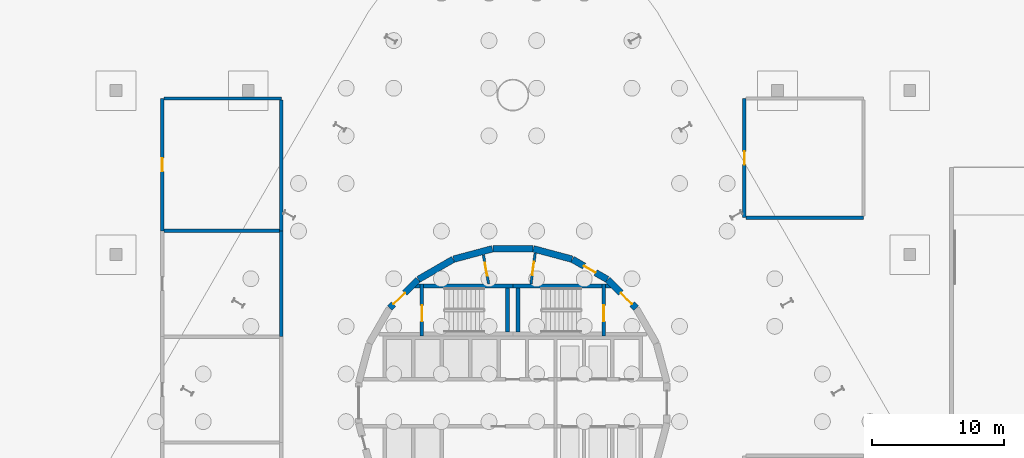
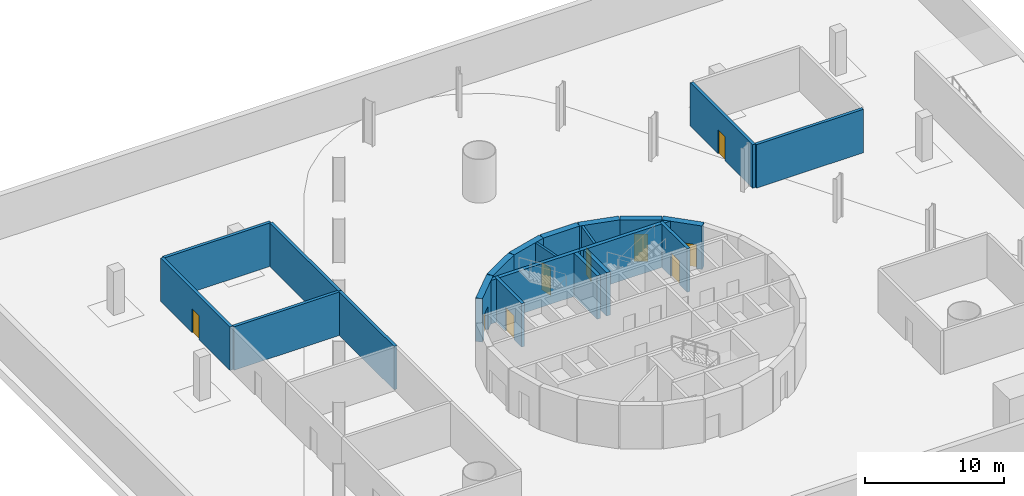
# One storey, part 8 of 11: 24 walls, 9 doors, 9 openings.
"""IFC4 building model written with IfcOpenShell, lengths in metres."""

from ifc_helpers import new_model, si_unit, direction, frame, frame_2d, origin, place, context, subcontext, project, spatial, polyline, rectangle, outline, extrude, material, layer, layer_set, type_object, element, fill, save


model = new_model("IFC4")

# Units and contexts
model_context = context("Model", 3, precision=1e-05, world=origin(), true_north=direction((0.0, 1.0)))
body_context = subcontext(model_context, "Body", "Model", "MODEL_VIEW")
ifc_project = project(units=[si_unit("LENGTHUNIT", "METRE"), si_unit("AREAUNIT", "SQUARE_METRE"), si_unit("VOLUMEUNIT", "CUBIC_METRE"), si_unit("PLANEANGLEUNIT", "RADIAN"), si_unit("MASSUNIT", "GRAM", prefix="KILO")], contexts=[model_context])

# Site, building, storey
site_placement = place(None, origin())
site = spatial("IfcSite", under=ifc_project, at=site_placement, CompositionType="ELEMENT")
building_placement = place(site_placement, origin())
building = spatial("IfcBuilding", under=site, at=building_placement, Name="Spindle Arch Residences", CompositionType="ELEMENT")
storey_placement = place(building_placement, frame((0.0, 0.0, -8.39990234375)))
storey = spatial("IfcBuildingStorey", under=building, at=storey_placement, Name="B2", CompositionType="ELEMENT", Elevation=-8.39990234375)

# Wall, opening, door
ifc_material_1 = material(Name="Concrete C50/60", Category="concrete")
ifc_layer_1 = layer(ifc_material_1, 0.5)
ifc_layer_set_1 = layer_set([ifc_layer_1], Name="Core outline wall 500")
wall_type_1 = type_object("IfcWallType", Name="Core outline wall 500", PredefinedType="SHEAR", material=ifc_layer_set_1)
wall_1_placement = place(storey_placement, frame((9.30810546875, 7.163818359375, 0.0), z_axis=(0.0, 0.0, 1.0), x_axis=(-0.707106781187, 0.707106781187, 0.0)))
wall_1 = element("IfcWall", 1, at=wall_1_placement, inside=storey, type_object=wall_type_1, Name="Core outline wall 9", PredefinedType="SHEAR", context=body_context, shape_type="SweptSolid", body=[
    extrude(rectangle(XDim=3.032470703125, YDim=0.5, at=frame_2d((1.51611328125, 0.0))), origin(), (0.0, 0.0, 1.0), 3.81982421875),
])
opening_1_placement = place(wall_1_placement, frame((0.416259765625, 0.0, 0.0)))
opening_1 = element("IfcOpeningElement", 2, at=opening_1_placement, cuts=wall_1, Name="Opening B2-AD01", PredefinedType="OPENING", context=body_context, shape_type="SweptSolid", body=[
    extrude(rectangle(XDim=1.199951171875, YDim=2.10009765625, at=frame_2d((0.60009765625, 1.050048828125))), frame((0.0, 0.260009765625, 0.0), z_axis=(0.0, -1.0, 0.0), x_axis=(1.0, 0.0, 0.0)), (0.0, 0.0, 1.0), 0.52001953125),
])
ifc_material_2 = material(Name="Steel, fire-resisting door", Category="steel")
door_type_1 = type_object("IfcDoorType", Name="Stair airlock door 1200x2100", OperationType="SINGLE_SWING_LEFT", PredefinedType="DOOR", material=ifc_material_2)
door_1_placement = place(opening_1_placement, origin())
door_1 = element("IfcDoor", 3, at=door_1_placement, inside=storey, type_object=door_type_1, Name="Stair airlock door B2-AD01", OperationType="SINGLE_SWING_RIGHT", OverallHeight=2.10009765625, OverallWidth=1.199951171875, PredefinedType="DOOR", context=body_context, shape_type="SweptSolid", body=[
    extrude(rectangle(XDim=1.199951171875, YDim=2.10009765625, at=frame_2d((0.60009765625, 1.050048828125))), frame((0.0, 0.02490234375, 0.0), z_axis=(0.0, -1.0, 0.0), x_axis=(1.0, 0.0, 0.0)), (0.0, 0.0, 1.0), 0.050048828125),
])
fill(opening_1, door_1)

wall_2_placement = place(storey_placement, frame((7.13671875, 9.32861328125, 0.0), z_axis=(0.0, 0.0, 1.0), x_axis=(-0.865975092491, 0.500087131594, 0.0)))
wall_2 = element("IfcWall", 4, at=wall_2_placement, inside=storey, type_object=wall_type_1, Name="Core outline wall 10", PredefinedType="SHEAR", context=body_context, shape_type="SweptSolid", body=[
    extrude(rectangle(XDim=3.03271484375, YDim=0.5, at=frame_2d((1.516357421875, 0.0))), origin(), (0.0, 0.0, 1.0), 3.81982421875),
])
opening_2_placement = place(wall_2_placement, frame((1.016357421875, 0.0, 0.0)))
opening_2 = element("IfcOpeningElement", 5, at=opening_2_placement, cuts=wall_2, Name="Opening B2-PD10", PredefinedType="OPENING", context=body_context, shape_type="SweptSolid", body=[
    extrude(rectangle(XDim=1.0, YDim=2.39990234375, at=frame_2d((0.5, 1.199951171875))), frame((0.0, 0.260009765625, 0.0), z_axis=(0.0, -1.0, 0.0), x_axis=(1.0, 0.0, 0.0)), (0.0, 0.0, 1.0), 0.52001953125),
])
ifc_material_3 = material(Name="Steel, fire-resisting door", Category="steel")
door_type_2 = type_object("IfcDoorType", Name="Plant room door 1000x2400", OperationType="SINGLE_SWING_LEFT", PredefinedType="DOOR", material=ifc_material_3)
door_2_placement = place(opening_2_placement, origin())
door_2 = element("IfcDoor", 6, at=door_2_placement, inside=storey, type_object=door_type_2, Name="Plant room door B2-PD10", OperationType="SINGLE_SWING_LEFT", OverallHeight=2.39990234375, OverallWidth=1.0, PredefinedType="DOOR", context=body_context, shape_type="SweptSolid", body=[
    extrude(rectangle(XDim=1.0, YDim=2.39990234375, at=frame_2d((0.5, 1.199951171875))), frame((0.0, 0.02490234375, 0.0), z_axis=(0.0, -1.0, 0.0), x_axis=(1.0, 0.0, 0.0)), (0.0, 0.0, 1.0), 0.050048828125),
])
fill(opening_2, door_2)

# Walls
for number, where, z_axis, x_axis, name in (
    (7, (4.479248046875, 10.858154296875, 0.0), (0.0, 0.0, 1.0), (-0.965948410781, 0.258734743916, 0.0), "Core outline wall 11"),
    (8, (1.516357421875, 11.647216796875, 0.0), (0.0, 0.0, 1.0), (-1.0, 0.0, 0.0), "Core outline wall 12"),
    (9, (-1.5498046875, 11.642822265625, 0.0), (0.0, 0.0, 1.0), (-0.965948410781, -0.258734743916, 0.0), "Core outline wall 13"),
    (10, (-4.510498046875, 10.84521484375, 0.0), (0.0, 0.0, 1.0), (-0.865975092491, -0.500087131594, 0.0), "Core outline wall 14"),
):
    element("IfcWall", number, at=place(storey_placement, frame(where, z_axis=z_axis, x_axis=x_axis)), inside=storey, type_object=wall_type_1, Name=name, PredefinedType="SHEAR", context=body_context, shape_type="SweptSolid", body=[
        extrude(rectangle(XDim=3.03271484375, YDim=0.5, at=frame_2d((1.516357421875, 0.0))), origin(), (0.0, 0.0, 1.0), 3.81982421875),
    ])

# Wall, opening, door
wall_3_placement = place(storey_placement, frame((-7.163818359375, 9.30810546875, 0.0), z_axis=(0.0, 0.0, 1.0), x_axis=(-0.707106781187, -0.707106781187, 0.0)))
wall_3 = element("IfcWall", 11, at=wall_3_placement, inside=storey, type_object=wall_type_1, Name="Core outline wall 15", PredefinedType="SHEAR", context=body_context, shape_type="SweptSolid", body=[
    extrude(rectangle(XDim=3.032470703125, YDim=0.5, at=frame_2d((1.51611328125, 0.0))), origin(), (0.0, 0.0, 1.0), 3.81982421875),
])
opening_3_placement = place(wall_3_placement, frame((1.416259765625, 0.0, 0.0)))
opening_3 = element("IfcOpeningElement", 12, at=opening_3_placement, cuts=wall_3, Name="Opening B2-AD02", PredefinedType="OPENING", context=body_context, shape_type="SweptSolid", body=[
    extrude(rectangle(XDim=1.199951171875, YDim=2.10009765625, at=frame_2d((0.60009765625, 1.050048828125))), frame((0.0, 0.260009765625, 0.0), z_axis=(0.0, -1.0, 0.0), x_axis=(1.0, 0.0, 0.0)), (0.0, 0.0, 1.0), 0.52001953125),
])
door_3_placement = place(opening_3_placement, origin())
door_3 = element("IfcDoor", 13, at=door_3_placement, inside=storey, type_object=door_type_1, Name="Stair airlock door B2-AD02", OperationType="SINGLE_SWING_RIGHT", OverallHeight=2.10009765625, OverallWidth=1.199951171875, PredefinedType="DOOR", context=body_context, shape_type="SweptSolid", body=[
    extrude(rectangle(XDim=1.199951171875, YDim=2.10009765625, at=frame_2d((0.60009765625, 1.050048828125))), frame((0.0, 0.02490234375, 0.0), z_axis=(0.0, -1.0, 0.0), x_axis=(1.0, 0.0, 0.0)), (0.0, 0.0, 1.0), 0.050048828125),
])
fill(opening_3, door_3)

ifc_material_4 = material(Name="Concrete C25/30 wall", Category="concrete")
ifc_layer_2 = layer(ifc_material_4, 0.25)
ifc_layer_set_2 = layer_set([ifc_layer_2], Name="Partition EI 120 250 plant")
wall_type_2 = type_object("IfcWallType", Name="Partition EI 120 250 plant", PredefinedType="PARTITIONING", material=ifc_layer_set_2)
wall_4_placement = place(storey_placement, frame((17.5, 14.0, 0.0), z_axis=(0.0, 0.0, 1.0), x_axis=(0.0, 1.0, 0.0)))
wall_4 = element("IfcWall", 14, at=wall_4_placement, inside=storey, type_object=wall_type_2, Name="B2-W016", PredefinedType="PARTITIONING", context=body_context, shape_type="SweptSolid", body=[
    extrude(rectangle(XDim=9.0, YDim=0.25, at=frame_2d((4.5, 0.0))), origin(), (0.0, 0.0, 1.0), 3.81982421875),
])
opening_4_placement = place(wall_4_placement, frame((4.0, 0.0, 0.0)))
opening_4 = element("IfcOpeningElement", 15, at=opening_4_placement, cuts=wall_4, Name="Opening B2-D06", PredefinedType="OPENING", context=body_context, shape_type="SweptSolid", body=[
    extrude(rectangle(XDim=1.0, YDim=2.10009765625, at=frame_2d((0.5, 1.050048828125))), frame((0.0, 0.135009765625, 0.0), z_axis=(0.0, -1.0, 0.0), x_axis=(1.0, 0.0, 0.0)), (0.0, 0.0, 1.0), 0.27001953125),
])
ifc_material_5 = material(Name="Steel door leaf, painted", Category="steel")
door_type_3 = type_object("IfcDoorType", Name="Door 1000x2100 EI 60", OperationType="SINGLE_SWING_LEFT", PredefinedType="DOOR", material=ifc_material_5)
door_4_placement = place(opening_4_placement, origin())
door_4 = element("IfcDoor", 16, at=door_4_placement, inside=storey, type_object=door_type_3, Name="B2-D06", OperationType="SINGLE_SWING_LEFT", OverallHeight=2.10009765625, OverallWidth=1.0, PredefinedType="DOOR", context=body_context, shape_type="SweptSolid", body=[
    extrude(rectangle(XDim=1.0, YDim=2.10009765625, at=frame_2d((0.5, 1.050048828125))), frame((0.0, 0.02490234375, 0.0), z_axis=(0.0, -1.0, 0.0), x_axis=(1.0, 0.0, 0.0)), (0.0, 0.0, 1.0), 0.050048828125),
])
fill(opening_4, door_4)

# Walls
wall_5_placement = place(storey_placement, frame((26.5, 14.0, 0.0), z_axis=(0.0, 0.0, 1.0), x_axis=(-1.0, 0.0, 0.0)))
element("IfcWall", 17, at=wall_5_placement, inside=storey, type_object=wall_type_2, Name="B2-W020", PredefinedType="PARTITIONING", context=body_context, shape_type="SweptSolid", body=[
    extrude(rectangle(XDim=8.875, YDim=0.25, at=frame_2d((4.4375, 0.0))), origin(), (0.0, 0.0, 1.0), 3.81982421875),
])
ifc_material_6 = material(Name="Concrete C25/30 wall", Category="concrete")
ifc_layer_3 = layer(ifc_material_6, 0.25)
ifc_layer_set_3 = layer_set([ifc_layer_3], Name="Partition EI 150 250 electrical")
wall_type_3 = type_object("IfcWallType", Name="Partition EI 150 250 electrical", PredefinedType="PARTITIONING", material=ifc_layer_set_3)
wall_6_placement = place(storey_placement, frame((-17.5, 13.0, 0.0), z_axis=(0.0, 0.0, 1.0), x_axis=(0.0, -1.0, 0.0)))
element("IfcWall", 18, at=wall_6_placement, inside=storey, type_object=wall_type_3, Name="B2-W012", PredefinedType="PARTITIONING", context=body_context, shape_type="SweptSolid", body=[
    extrude(rectangle(XDim=8.0, YDim=0.25, at=frame_2d((4.0, 0.0))), origin(), (0.0, 0.0, 1.0), 3.81982421875),
])

# Wall, opening, door
ifc_material_7 = material(Name="Concrete C25/30 wall", Category="concrete")
ifc_layer_4 = layer(ifc_material_7, 0.25)
ifc_layer_set_4 = layer_set([ifc_layer_4], Name="Partition EI 180 250 generator")
wall_type_4 = type_object("IfcWallType", Name="Partition EI 180 250 generator", PredefinedType="PARTITIONING", material=ifc_layer_set_4)
wall_7_placement = place(storey_placement, frame((-26.5, 13.0, 0.0), z_axis=(0.0, 0.0, 1.0), x_axis=(0.0, 1.0, 0.0)))
wall_7 = element("IfcWall", 19, at=wall_7_placement, inside=storey, type_object=wall_type_4, Name="B2-W006", PredefinedType="PARTITIONING", context=body_context, shape_type="SweptSolid", body=[
    extrude(rectangle(XDim=10.0, YDim=0.25, at=frame_2d((5.0, 0.0))), origin(), (0.0, 0.0, 1.0), 3.81982421875),
])
opening_5_placement = place(wall_7_placement, frame((4.5, 0.0, 0.0)))
opening_5 = element("IfcOpeningElement", 20, at=opening_5_placement, cuts=wall_7, Name="Opening B2-D05", PredefinedType="OPENING", context=body_context, shape_type="SweptSolid", body=[
    extrude(rectangle(XDim=1.0, YDim=2.10009765625, at=frame_2d((0.5, 1.050048828125))), frame((0.0, 0.135009765625, 0.0), z_axis=(0.0, -1.0, 0.0), x_axis=(1.0, 0.0, 0.0)), (0.0, 0.0, 1.0), 0.27001953125),
])
door_5_placement = place(opening_5_placement, origin())
door_5 = element("IfcDoor", 21, at=door_5_placement, inside=storey, type_object=door_type_3, Name="B2-D05", OperationType="SINGLE_SWING_LEFT", OverallHeight=2.10009765625, OverallWidth=1.0, PredefinedType="DOOR", context=body_context, shape_type="SweptSolid", body=[
    extrude(rectangle(XDim=1.0, YDim=2.10009765625, at=frame_2d((0.5, 1.050048828125))), frame((0.0, 0.02490234375, 0.0), z_axis=(0.0, -1.0, 0.0), x_axis=(1.0, 0.0, 0.0)), (0.0, 0.0, 1.0), 0.050048828125),
])
fill(opening_5, door_5)

# Walls
wall_8_placement = place(storey_placement, frame((-26.375, 13.0, 0.0), z_axis=(0.0, 0.0, 1.0), x_axis=(1.0, 0.0, 0.0)))
element("IfcWall", 22, at=wall_8_placement, inside=storey, type_object=wall_type_4, Name="B2-W007", PredefinedType="PARTITIONING", context=body_context, shape_type="SweptSolid", body=[
    extrude(rectangle(XDim=8.75, YDim=0.25, at=frame_2d((4.375, 0.0))), origin(), (0.0, 0.0, 1.0), 3.81982421875),
])
wall_9_placement = place(storey_placement, frame((-26.375, 23.0, 0.0), z_axis=(0.0, 0.0, 1.0), x_axis=(1.0, 0.0, 0.0)))
element("IfcWall", 23, at=wall_9_placement, inside=storey, type_object=wall_type_4, Name="B2-W008", PredefinedType="PARTITIONING", context=body_context, shape_type="SweptSolid", body=[
    extrude(rectangle(XDim=8.875, YDim=0.25, at=frame_2d((4.4375, 0.0))), origin(), (0.0, 0.0, 1.0), 3.81982421875),
])
wall_10_placement = place(storey_placement, frame((-17.5, 22.875, 0.0), z_axis=(0.0, 0.0, 1.0), x_axis=(0.0, -1.0, 0.0)))
element("IfcWall", 24, at=wall_10_placement, inside=storey, type_object=wall_type_4, Name="B2-W013", PredefinedType="PARTITIONING", context=body_context, shape_type="SweptSolid", body=[
    extrude(rectangle(XDim=9.875, YDim=0.25, at=frame_2d((4.9375, 0.0))), origin(), (0.0, 0.0, 1.0), 3.81982421875),
])

# Wall, opening, door
ifc_material_8 = material(Name="Concrete C25/30", Category="concrete")
ifc_layer_5 = layer(ifc_material_8, 0.18994140625)
ifc_layer_set_5 = layer_set([ifc_layer_5], Name="Plant room partition 190")
wall_type_5 = type_object("IfcWallType", Name="Plant room partition 190", PredefinedType="PARTITIONING", material=ifc_layer_set_5)
wall_11_placement = place(storey_placement, frame((1.69091796875, 11.32568359375, 0.0), z_axis=(0.0, 0.0, 1.0), x_axis=(-0.135344253201, -0.990798633994, 0.0)))
wall_11 = element("IfcWall", 25, at=wall_11_placement, inside=storey, type_object=wall_type_5, Name="Core plant room partition", PredefinedType="PARTITIONING", context=body_context, shape_type="SweptSolid", body=[
    extrude(rectangle(XDim=2.357666015625, YDim=0.18994140625, at=frame_2d((1.1787109375, 0.0))), origin(), (0.0, 0.0, 1.0), 3.81982421875),
])
opening_6_placement = place(wall_11_placement, frame((0.6787109375, 0.0, 0.0)))
opening_6 = element("IfcOpeningElement", 26, at=opening_6_placement, cuts=wall_11, Name="Opening B2-PD06", PredefinedType="OPENING", context=body_context, shape_type="SweptSolid", body=[
    extrude(rectangle(XDim=1.0, YDim=2.39990234375, at=frame_2d((0.5, 1.199951171875))), frame((0.0, 0.10498046875, 0.0), z_axis=(0.0, -1.0, 0.0), x_axis=(1.0, 0.0, 0.0)), (0.0, 0.0, 1.0), 0.2099609375),
])
door_6_placement = place(opening_6_placement, origin())
door_6 = element("IfcDoor", 27, at=door_6_placement, inside=storey, type_object=door_type_2, Name="Plant room door B2-PD06", OperationType="SINGLE_SWING_LEFT", OverallHeight=2.39990234375, OverallWidth=1.0, PredefinedType="DOOR", context=body_context, shape_type="SweptSolid", body=[
    extrude(rectangle(XDim=1.0, YDim=2.39990234375, at=frame_2d((0.5, 1.199951171875))), frame((0.0, 0.02490234375, 0.0), z_axis=(0.0, -1.0, 0.0), x_axis=(1.0, 0.0, 0.0)), (0.0, 0.0, 1.0), 0.050048828125),
])
fill(opening_6, door_6)

wall_12_placement = place(storey_placement, frame((-1.824951171875, 8.98974609375, 0.0), z_axis=(0.0, 0.0, 1.0), x_axis=(-0.179955206115, 0.983674805915, 0.0)))
wall_12 = element("IfcWall", 28, at=wall_12_placement, inside=storey, type_object=wall_type_5, Name="Core plant room partition", PredefinedType="PARTITIONING", context=body_context, shape_type="SweptSolid", body=[
    extrude(rectangle(XDim=2.22900390625, YDim=0.18994140625, at=frame_2d((1.114501953125, 0.0))), origin(), (0.0, 0.0, 1.0), 3.81982421875),
])
opening_7_placement = place(wall_12_placement, frame((0.614501953125, 0.0, 0.0)))
opening_7 = element("IfcOpeningElement", 29, at=opening_7_placement, cuts=wall_12, Name="Opening B2-PD07", PredefinedType="OPENING", context=body_context, shape_type="SweptSolid", body=[
    extrude(rectangle(XDim=1.0, YDim=2.39990234375, at=frame_2d((0.5, 1.199951171875))), frame((0.0, 0.10498046875, 0.0), z_axis=(0.0, -1.0, 0.0), x_axis=(1.0, 0.0, 0.0)), (0.0, 0.0, 1.0), 0.2099609375),
])
door_7_placement = place(opening_7_placement, origin())
door_7 = element("IfcDoor", 30, at=door_7_placement, inside=storey, type_object=door_type_2, Name="Plant room door B2-PD07", OperationType="SINGLE_SWING_RIGHT", OverallHeight=2.39990234375, OverallWidth=1.0, PredefinedType="DOOR", context=body_context, shape_type="SweptSolid", body=[
    extrude(rectangle(XDim=1.0, YDim=2.39990234375, at=frame_2d((0.5, 1.199951171875))), frame((0.0, 0.02490234375, 0.0), z_axis=(0.0, -1.0, 0.0), x_axis=(1.0, 0.0, 0.0)), (0.0, 0.0, 1.0), 0.050048828125),
])
fill(opening_7, door_7)

# Walls
ifc_material_9 = material(Name="Concrete C40/50", Category="concrete")
wall_type_6 = type_object("IfcWallType", Name="Stair airlock wall profile", PredefinedType="SHEAR", material=ifc_material_9)
wall_13_placement = place(storey_placement, origin())
element("IfcWall", 31, at=wall_13_placement, inside=storey, type_object=wall_type_6, Name="Stair ST-1 airlock wall N", PredefinedType="SHEAR", context=body_context, shape_type="SweptSolid", body=[
    extrude(outline(polyline([(7.4482421875, 8.669921875), (7.0, 8.669921875), (7.0, 8.969970703125), (7.148193359375, 8.969970703125), (7.4482421875, 8.669921875)])), origin(), (0.0, 0.0, 1.0), 3.81982421875),
])
wall_14_placement = place(storey_placement, origin())
element("IfcWall", 32, at=wall_14_placement, inside=storey, type_object=wall_type_6, Name="Stair ST-2 airlock wall N", PredefinedType="SHEAR", context=body_context, shape_type="SweptSolid", body=[
    extrude(outline(polyline([(-7.148193359375, 8.969970703125), (-7.0, 8.969970703125), (-7.0, 8.669921875), (-7.4482421875, 8.669921875), (-7.148193359375, 8.969970703125)])), origin(), (0.0, 0.0, 1.0), 3.81982421875),
])

# Wall, opening, door
ifc_material_10 = material(Name="Concrete C50/60", Category="concrete")
ifc_layer_6 = layer(ifc_material_10, 0.25)
ifc_layer_set_6 = layer_set([ifc_layer_6], Name="Stair enclosure wall 250")
wall_type_7 = type_object("IfcWallType", Name="Stair enclosure wall 250", PredefinedType="SHEAR", material=ifc_layer_set_6)
wall_15_placement = place(storey_placement, frame((6.875, 5.050048828125, 0.0), z_axis=(0.0, 0.0, 1.0), x_axis=(0.0, 1.0, 0.0)))
wall_15 = element("IfcWall", 33, at=wall_15_placement, inside=storey, type_object=wall_type_7, Name="Stair ST-1 door wall", PredefinedType="SHEAR", context=body_context, shape_type="SweptSolid", body=[
    extrude(rectangle(XDim=3.919921875, YDim=0.25, at=frame_2d((1.9599609375, 0.0))), origin(), (0.0, 0.0, 1.0), 3.81982421875),
])
opening_8_placement = place(wall_15_placement, frame((1.110107421875, 0.0, 0.0)))
opening_8 = element("IfcOpeningElement", 34, at=opening_8_placement, cuts=wall_15, Name="Opening B2-SD01", PredefinedType="OPENING", context=body_context, shape_type="SweptSolid", body=[
    extrude(rectangle(XDim=1.199951171875, YDim=2.10009765625, at=frame_2d((0.60009765625, 1.050048828125))), frame((0.0, 0.135009765625, 0.0), z_axis=(0.0, -1.0, 0.0), x_axis=(1.0, 0.0, 0.0)), (0.0, 0.0, 1.0), 0.27001953125),
])
ifc_material_11 = material(Name="Steel, fire-resisting door", Category="steel")
door_type_4 = type_object("IfcDoorType", Name="Stair door 1200x2100", OperationType="SINGLE_SWING_RIGHT", PredefinedType="DOOR", material=ifc_material_11)
door_8_placement = place(opening_8_placement, origin())
door_8 = element("IfcDoor", 35, at=door_8_placement, inside=storey, type_object=door_type_4, Name="Stair door B2-SD01", OperationType="SINGLE_SWING_LEFT", OverallHeight=2.10009765625, OverallWidth=1.199951171875, PredefinedType="DOOR", context=body_context, shape_type="SweptSolid", body=[
    extrude(rectangle(XDim=1.199951171875, YDim=2.10009765625, at=frame_2d((0.60009765625, 1.050048828125))), frame((0.0, 0.02490234375, 0.0), z_axis=(0.0, -1.0, 0.0), x_axis=(1.0, 0.0, 0.0)), (0.0, 0.0, 1.0), 0.050048828125),
])
fill(opening_8, door_8)

wall_16_placement = place(storey_placement, frame((-6.875, 8.969970703125, 0.0), z_axis=(0.0, 0.0, 1.0), x_axis=(0.0, -1.0, 0.0)))
wall_16 = element("IfcWall", 36, at=wall_16_placement, inside=storey, type_object=wall_type_7, Name="Stair ST-2 door wall", PredefinedType="SHEAR", context=body_context, shape_type="SweptSolid", body=[
    extrude(rectangle(XDim=3.919921875, YDim=0.25, at=frame_2d((1.9599609375, 0.0))), origin(), (0.0, 0.0, 1.0), 3.81982421875),
])
opening_9_placement = place(wall_16_placement, frame((1.610107421875, 0.0, 0.0)))
opening_9 = element("IfcOpeningElement", 37, at=opening_9_placement, cuts=wall_16, Name="Opening B2-SD02", PredefinedType="OPENING", context=body_context, shape_type="SweptSolid", body=[
    extrude(rectangle(XDim=1.199951171875, YDim=2.10009765625, at=frame_2d((0.60009765625, 1.050048828125))), frame((0.0, 0.135009765625, 0.0), z_axis=(0.0, -1.0, 0.0), x_axis=(1.0, 0.0, 0.0)), (0.0, 0.0, 1.0), 0.27001953125),
])
door_9_placement = place(opening_9_placement, origin())
door_9 = element("IfcDoor", 38, at=door_9_placement, inside=storey, type_object=door_type_4, Name="Stair door B2-SD02", OperationType="SINGLE_SWING_LEFT", OverallHeight=2.10009765625, OverallWidth=1.199951171875, PredefinedType="DOOR", context=body_context, shape_type="SweptSolid", body=[
    extrude(rectangle(XDim=1.199951171875, YDim=2.10009765625, at=frame_2d((0.60009765625, 1.050048828125))), frame((0.0, 0.02490234375, 0.0), z_axis=(0.0, -1.0, 0.0), x_axis=(1.0, 0.0, 0.0)), (0.0, 0.0, 1.0), 0.050048828125),
])
fill(opening_9, door_9)

# Walls
ifc_material_12 = material(Name="Concrete C50/60", Category="concrete")
ifc_layer_7 = layer(ifc_material_12, 0.300048828125)
ifc_layer_set_7 = layer_set([ifc_layer_7], Name="Stair enclosure wall 300")
wall_type_8 = type_object("IfcWallType", Name="Stair enclosure wall 300", PredefinedType="SHEAR", material=ifc_layer_set_7)
wall_17_placement = place(storey_placement, frame((0.0, 8.820068359375, 0.0), z_axis=(0.0, 0.0, 1.0), x_axis=(1.0, 0.0, 0.0)))
element("IfcWall", 39, at=wall_17_placement, inside=storey, type_object=wall_type_8, Name="Stair ST-1 enclosure wall N", PredefinedType="SHEAR", context=body_context, shape_type="SweptSolid", body=[
    extrude(rectangle(XDim=6.75, YDim=0.300048828125, at=frame_2d((3.375, 0.0))), origin(), (0.0, 0.0, 1.0), 3.81982421875),
])
wall_18_placement = place(storey_placement, frame((0.39990234375, 5.35009765625, 0.0), z_axis=(0.0, 0.0, 1.0), x_axis=(0.0, 1.0, 0.0)))
element("IfcWall", 40, at=wall_18_placement, inside=storey, type_object=wall_type_8, Name="Stair ST-1 enclosure wall F", PredefinedType="SHEAR", context=body_context, shape_type="SweptSolid", body=[
    extrude(rectangle(XDim=3.31982421875, YDim=0.300048828125, at=frame_2d((1.659912109375, 0.0))), origin(), (0.0, 0.0, 1.0), 3.81982421875),
])
wall_19_placement = place(storey_placement, frame((-6.75, 8.820068359375, 0.0), z_axis=(0.0, 0.0, 1.0), x_axis=(1.0, 0.0, 0.0)))
element("IfcWall", 41, at=wall_19_placement, inside=storey, type_object=wall_type_8, Name="Stair ST-2 enclosure wall N", PredefinedType="SHEAR", context=body_context, shape_type="SweptSolid", body=[
    extrude(rectangle(XDim=6.75, YDim=0.300048828125, at=frame_2d((3.375, 0.0))), origin(), (0.0, 0.0, 1.0), 3.81982421875),
])
wall_20_placement = place(storey_placement, frame((-0.39990234375, 5.35009765625, 0.0), z_axis=(0.0, 0.0, 1.0), x_axis=(0.0, 1.0, 0.0)))
element("IfcWall", 42, at=wall_20_placement, inside=storey, type_object=wall_type_8, Name="Stair ST-2 enclosure wall F", PredefinedType="SHEAR", context=body_context, shape_type="SweptSolid", body=[
    extrude(rectangle(XDim=3.31982421875, YDim=0.300048828125, at=frame_2d((1.659912109375, 0.0))), origin(), (0.0, 0.0, 1.0), 3.81982421875),
])

save(model, "model.ifc")
